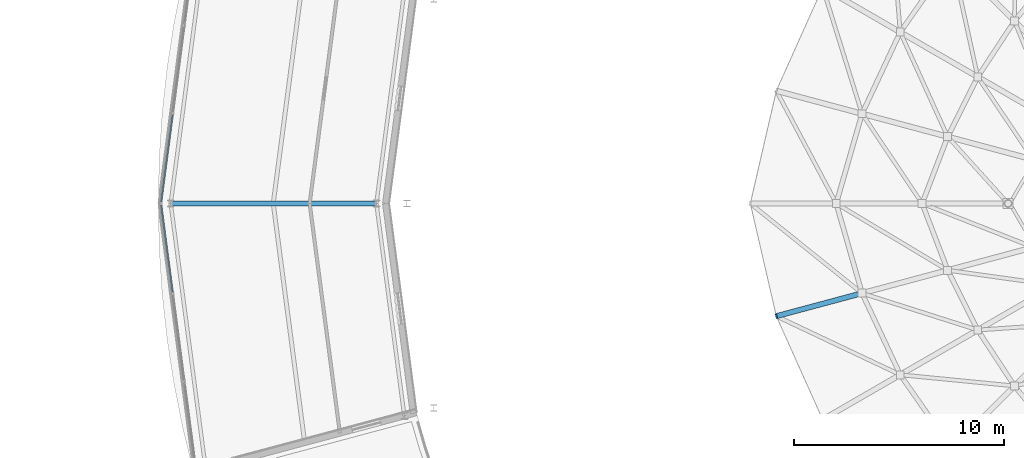
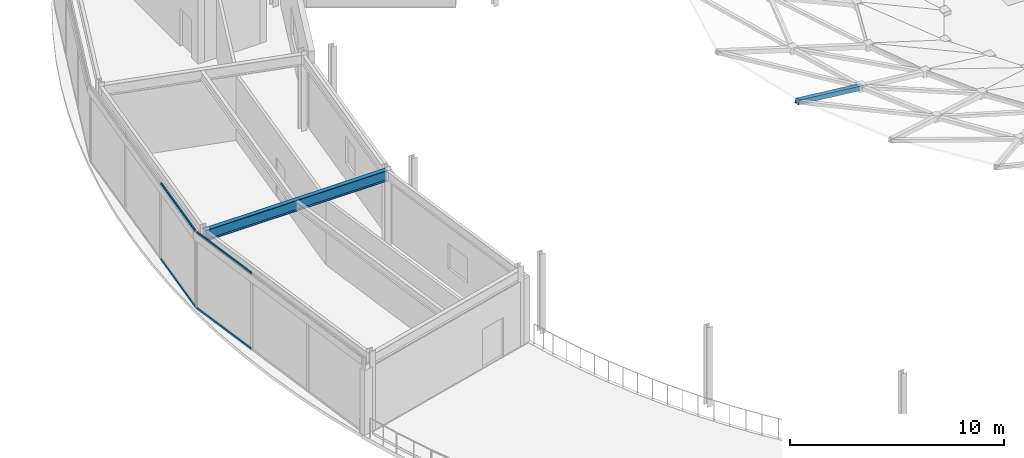
# One storey, part 20 of 116: 5 members, 1 beam, 2 elements without a shape of their own.
"""IFC4 building model written with IfcOpenShell, lengths in metres."""

from ifc_helpers import new_model, si_unit, direction, frame, origin, origin_2d, place, context, subcontext, project, spatial, hollow_rectangle, i_section, extrude, material, material_profile, profile_set, type_object, element, aggregate, save


model = new_model("IFC4")

# Units and contexts
model_context = context("Model", 3, precision=1e-05, world=origin(), true_north=direction((0.0, 1.0)))
body_context = subcontext(model_context, "Body", "Model", "MODEL_VIEW")
ifc_project = project(units=[si_unit("LENGTHUNIT", "METRE"), si_unit("AREAUNIT", "SQUARE_METRE"), si_unit("VOLUMEUNIT", "CUBIC_METRE"), si_unit("PLANEANGLEUNIT", "RADIAN"), si_unit("MASSUNIT", "GRAM", prefix="KILO")], contexts=[model_context])

# Site, building, storey
site_placement = place(None, origin())
site = spatial("IfcSite", under=ifc_project, at=site_placement, CompositionType="ELEMENT")
building_placement = place(site_placement, origin())
building = spatial("IfcBuilding", under=site, at=building_placement, Name="Almandine Court Research Institute", CompositionType="ELEMENT")
storey_placement = place(building_placement, frame((0.0, 0.0, 14.35009765625)))
storey = spatial("IfcBuildingStorey", under=building, at=storey_placement, Name="L03", CompositionType="ELEMENT", Elevation=14.35009765625)

# Beam
ifc_material_1 = material(Name="Steel ASTM A992 Grade 50", Category="steel")
ifc_material_profile_1 = material_profile(ifc_material_1, i_section(OverallWidth=0.22998046875, OverallDepth=0.616943359375, WebThickness=0.012939453125, FlangeThickness=0.02197265625, at=origin_2d()), Name="W610x140")
ifc_profile_set_1 = profile_set([ifc_material_profile_1], Name="Steel ASTM A992 Grade 50")
beam_type = type_object("IfcBeamType", Name="Beam-G-02", PredefinedType="BEAM", material=ifc_profile_set_1)
beam_placement = place(storey_placement, frame((47.89990234375, 56.0, 4.014892578125), z_axis=(-1.0, 0.0, 0.0), x_axis=(0.0, -1.0, 0.0)))
element("IfcBeam", 1, at=beam_placement, inside=storey, type_object=beam_type, Name="L03 Drum Radial Girder 12", PredefinedType="BEAM", context=body_context, shape_type="SweptSolid", body=[
    extrude(i_section(OverallWidth=0.22998046875, OverallDepth=0.616943359375, WebThickness=0.012939453125, FlangeThickness=0.02197265625, at=origin_2d()), origin(), (0.0, 0.0, 1.0), 9.7998046875),
])

# Curtain wall, members
ifc_material_2 = material(Name="Unitised Curtain Wall Framing and Solar Glazing", Category="glass")
curtain_wall_type = type_object("IfcCurtainWallType", Name="CW-CWJ-19", PredefinedType="USERDEFINED", material=ifc_material_2)
curtain_wall_1_placement = place(storey_placement, origin())
curtain_wall_1 = element("IfcCurtainWall", 2, at=curtain_wall_1_placement, inside=storey, type_object=curtain_wall_type, Name="L03 Stacked-Ring Drum Outer Solar Jali Screen 11", ObjectType="SOLAR JALI SCREEN", PredefinedType="USERDEFINED")
ifc_material_3 = material(Name="Anodised Aluminium AW-6063-T6", Category="aluminium")
ifc_material_profile_2 = material_profile(ifc_material_3, hollow_rectangle(XDim=0.06494140625, YDim=0.1298828125, WallThickness=0.00390625, at=origin_2d()), Name="ALU RHS 65x130x4")
ifc_profile_set_2 = profile_set([ifc_material_profile_2], Name="Anodised Aluminium AW-6063-T6")
member_type_1 = type_object("IfcMemberType", Name="CWTrn-65x130", PredefinedType="NOTDEFINED", material=ifc_profile_set_2)
member_1_placement = place(storey_placement, frame((37.6484375, 56.068359375, 0.032470703125), z_axis=(0.130535805655, 0.991443595694, 0.0), x_axis=(-0.991443595694, 0.130535805655, 0.0)))
member_1 = element("IfcMember", 3, at=member_1_placement, type_object=member_type_1, Name="CWJ-19 transom 1.1", ObjectType="TRANSOM", PredefinedType="USERDEFINED", context=body_context, shape_type="SweptSolid", body=[
    extrude(hollow_rectangle(XDim=0.06494140625, YDim=0.1298828125, WallThickness=0.00390625, at=origin_2d()), origin(), (0.0, 0.0, 1.0), 4.195068359375),
])
member_2_placement = place(storey_placement, frame((37.6484375, 56.068359375, 4.33740234375), z_axis=(0.130535805655, 0.991443595694, 0.0), x_axis=(-0.991443595694, 0.130535805655, 0.0)))
member_2 = element("IfcMember", 4, at=member_2_placement, type_object=member_type_1, Name="CWJ-19 transom 1.2", ObjectType="TRANSOM", PredefinedType="USERDEFINED", context=body_context, shape_type="SweptSolid", body=[
    extrude(hollow_rectangle(XDim=0.06494140625, YDim=0.1298828125, WallThickness=0.00390625, at=origin_2d()), origin(), (0.0, 0.0, 1.0), 4.195068359375),
])
aggregate(curtain_wall_1, [member_1, member_2])

curtain_wall_2_placement = place(storey_placement, origin())
curtain_wall_2 = element("IfcCurtainWall", 5, at=curtain_wall_2_placement, inside=storey, type_object=curtain_wall_type, Name="L03 Stacked-Ring Drum Outer Solar Jali Screen 12", ObjectType="SOLAR JALI SCREEN", PredefinedType="USERDEFINED")
member_3_placement = place(storey_placement, frame((38.196044921875, 51.7724609375, 0.032470703125), z_axis=(-0.130535805655, 0.991443595694, 0.0), x_axis=(-0.991443595694, -0.130535805655, 0.0)))
member_3 = element("IfcMember", 6, at=member_3_placement, type_object=member_type_1, Name="CWJ-19 transom 3.1", ObjectType="TRANSOM", PredefinedType="USERDEFINED", context=body_context, shape_type="SweptSolid", body=[
    extrude(hollow_rectangle(XDim=0.06494140625, YDim=0.1298828125, WallThickness=0.00390625, at=origin_2d()), origin(), (0.0, 0.0, 1.0), 4.195068359375),
])
member_4_placement = place(storey_placement, frame((38.196044921875, 51.7724609375, 4.33740234375), z_axis=(-0.130535805655, 0.991443595694, 0.0), x_axis=(-0.991443595694, -0.130535805655, 0.0)))
member_4 = element("IfcMember", 7, at=member_4_placement, type_object=member_type_1, Name="CWJ-19 transom 3.2", ObjectType="TRANSOM", PredefinedType="USERDEFINED", context=body_context, shape_type="SweptSolid", body=[
    extrude(hollow_rectangle(XDim=0.06494140625, YDim=0.1298828125, WallThickness=0.00390625, at=origin_2d()), origin(), (0.0, 0.0, 1.0), 4.195068359375),
])
aggregate(curtain_wall_2, [member_3, member_4])

# Member
ifc_material_4 = material(Name="Steel ASTM A500 Grade C", Category="steel")
ifc_material_profile_3 = material_profile(ifc_material_4, hollow_rectangle(XDim=0.25, YDim=0.25, WallThickness=0.010009765625, at=origin_2d()), Name="HSS 250x250x10")
ifc_profile_set_3 = profile_set([ifc_material_profile_3], Name="Steel ASTM A500 Grade C")
member_type_2 = type_object("IfcMemberType", Name="Mem-GS-AR1", PredefinedType="RAFTER", material=ifc_profile_set_3)
member_5_placement = place(storey_placement, frame((66.9599609375, 50.6298828125, 4.77099609375), z_axis=(0.925809514267, 0.248174536061, -0.285107248144), x_axis=(-0.25892088645, 0.965898532228, 0.0)))
element("IfcMember", 8, at=member_5_placement, inside=storey, type_object=member_type_2, Name="Atrium Conical Gridshell Radial Rib R4-S13", PredefinedType="RAFTER", context=body_context, shape_type="SweptSolid", body=[
    extrude(hollow_rectangle(XDim=0.25, YDim=0.25, WallThickness=0.010009765625, at=origin_2d()), origin(), (0.0, 0.0, 1.0), 4.4091796875),
])

save(model, "model.ifc")
